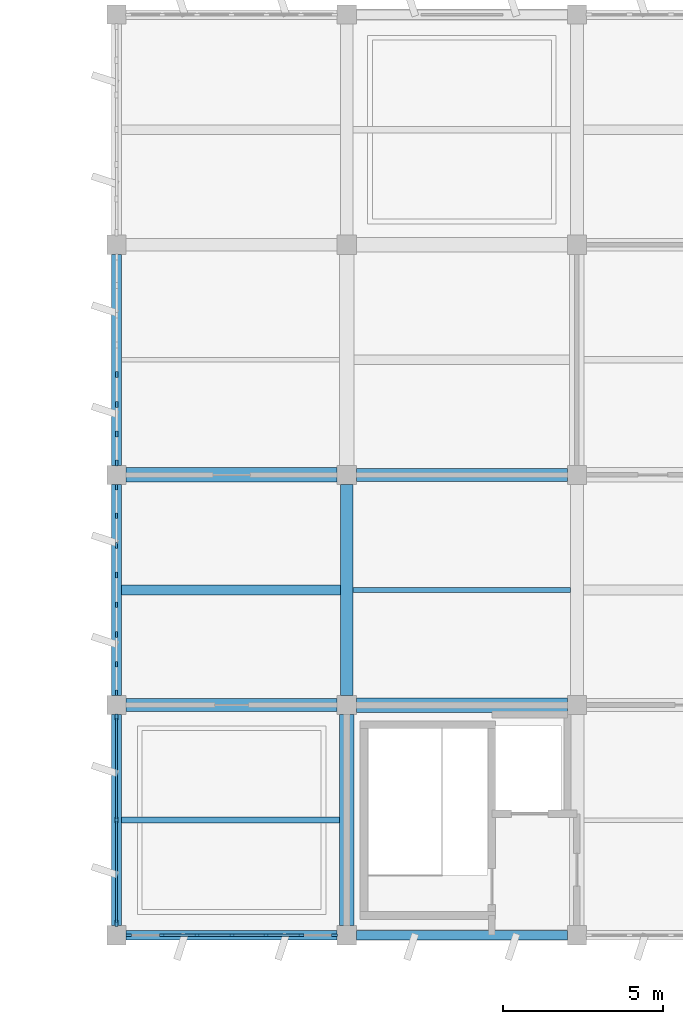
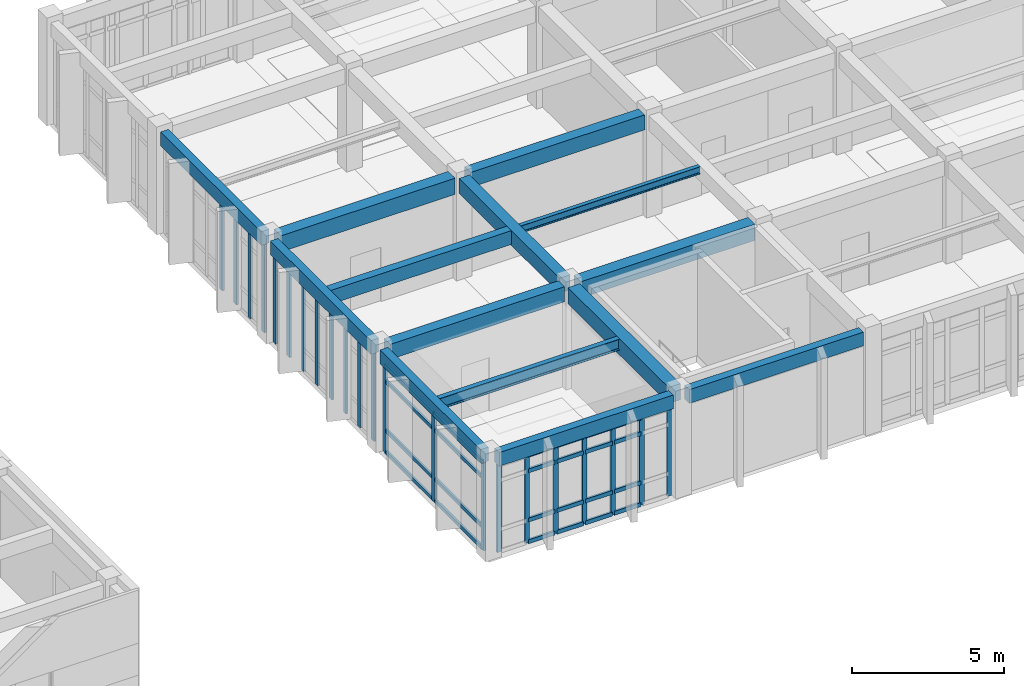
# One storey, part 8 of 70: 48 members, 12 beams, 4 elements without a shape of their own.
"""IFC4 building model written with IfcOpenShell, lengths in metres."""

from ifc_helpers import new_model, si_unit, direction, frame, origin, origin_2d, place, context, subcontext, project, spatial, rectangle, i_section, extrude, material, layer, layer_set, material_profile, profile_set, type_object, element, aggregate, save


model = new_model("IFC4")

# Units and contexts
model_context = context("Model", 3, precision=1e-05, world=origin(), true_north=direction((0.0, 1.0)))
body_context = subcontext(model_context, "Body", "Model", "MODEL_VIEW")
ifc_project = project(units=[si_unit("LENGTHUNIT", "METRE"), si_unit("AREAUNIT", "SQUARE_METRE"), si_unit("VOLUMEUNIT", "CUBIC_METRE"), si_unit("PLANEANGLEUNIT", "RADIAN"), si_unit("MASSUNIT", "GRAM", prefix="KILO")], contexts=[model_context])

# Site, building, storey
site_placement = place(None, origin())
site = spatial("IfcSite", under=ifc_project, at=site_placement, CompositionType="ELEMENT")
building_placement = place(site_placement, origin())
building = spatial("IfcBuilding", under=site, at=building_placement, Name="Kavelor Marine Aquarium", CompositionType="ELEMENT")
storey_placement = place(building_placement, frame((0.0, 0.0, 9.179931640625)))
storey = spatial("IfcBuildingStorey", under=building, at=storey_placement, Name="L02", CompositionType="ELEMENT", Elevation=9.179931640625)

# Beams
ifc_material_1 = material(Name="Concrete C40/50", Category="concrete")
ifc_material_profile_1 = material_profile(ifc_material_1, rectangle(XDim=0.449951171875, YDim=0.64990234375, at=origin_2d()), Name="RC-BM 450x650")
ifc_profile_set_1 = profile_set([ifc_material_profile_1], Name="Concrete C40/50")
beam_type_1 = type_object("IfcBeamType", Name="BM-B3", PredefinedType="BEAM", material=ifc_profile_set_1)
for number, where, z_axis, x_axis, name in (
    (1, (118.699951171875, 17.199951171875, 3.755126953125), (1.0, 0.0, 0.0), (0.0, 1.0, 0.0), "bm:x:L02:L03:16_02"),
    (2, (125.89990234375, 10.0, 3.755126953125), (1.0, 0.0, 0.0), (0.0, 1.0, 0.0), "bm:x:L02:L03:17_01"),
):
    element("IfcBeam", number, at=place(storey_placement, frame(where, z_axis=z_axis, x_axis=x_axis)), inside=storey, type_object=beam_type_1, Name=name, PredefinedType="BEAM", context=body_context, shape_type="SweptSolid", body=[
        extrude(rectangle(XDim=0.449951171875, YDim=0.64990234375, at=origin_2d()), origin(), (0.0, 0.0, 1.0), 6.60009765625),
    ])
beam_1_placement = place(storey_placement, frame((125.60009765625, 3.10009765625, 3.755126953125), z_axis=(0.0, 1.0, 0.0), x_axis=(-1.0, 0.0, 0.0)))
element("IfcBeam", 3, at=beam_1_placement, inside=storey, type_object=beam_type_1, Name="bm:y:L02:L03:17_00", PredefinedType="BEAM", context=body_context, shape_type="SweptSolid", body=[
    extrude(rectangle(XDim=0.449951171875, YDim=0.64990234375, at=origin_2d()), origin(), (0.0, 0.0, 1.0), 6.599853515625),
])
ifc_material_2 = material(Name="Concrete C40/50", Category="concrete")
ifc_material_profile_2 = material_profile(ifc_material_2, rectangle(XDim=0.39990234375, YDim=0.60009765625, at=origin_2d()), Name="RC-BM 400x600")
ifc_profile_set_2 = profile_set([ifc_material_profile_2], Name="Concrete C40/50")
beam_type_2 = type_object("IfcBeamType", Name="BM-B4", PredefinedType="BEAM", material=ifc_profile_set_2)
for number, where, z_axis, x_axis, name in (
    (4, (118.699951171875, 10.0, 3.780029296875), (1.0, 0.0, 0.0), (0.0, 1.0, 0.0), "bm:x:L02:L03:16_01"),
    (5, (125.89990234375, 17.199951171875, 3.780029296875), (1.0, 0.0, 0.0), (0.0, 1.0, 0.0), "bm:x:L02:L03:17_02"),
):
    element("IfcBeam", number, at=place(storey_placement, frame(where, z_axis=z_axis, x_axis=x_axis)), inside=storey, type_object=beam_type_2, Name=name, PredefinedType="BEAM", context=body_context, shape_type="SweptSolid", body=[
        extrude(rectangle(XDim=0.39990234375, YDim=0.60009765625, at=origin_2d()), origin(), (0.0, 0.0, 1.0), 6.60009765625),
    ])
beam_2_placement = place(storey_placement, frame((125.60009765625, 10.300048828125, 3.780029296875), z_axis=(0.0, 1.0, 0.0), x_axis=(-1.0, 0.0, 0.0)))
element("IfcBeam", 6, at=beam_2_placement, inside=storey, type_object=beam_type_2, Name="bm:y:L02:L03:17_01", PredefinedType="BEAM", context=body_context, shape_type="SweptSolid", body=[
    extrude(rectangle(XDim=0.39990234375, YDim=0.60009765625, at=origin_2d()), origin(), (0.0, 0.0, 1.0), 6.599853515625),
])
ifc_material_3 = material(Name="Concrete C40/50", Category="concrete")
ifc_material_profile_3 = material_profile(ifc_material_3, rectangle(XDim=0.300048828125, YDim=0.550048828125, at=origin_2d()), Name="RC-JS 300x550")
ifc_profile_set_3 = profile_set([ifc_material_profile_3], Name="Concrete C40/50")
beam_type_3 = type_object("IfcBeamType", Name="BM-JS2", PredefinedType="JOIST", material=ifc_profile_set_3)
beam_3_placement = place(storey_placement, frame((118.550048828125, 13.60009765625, 3.80517578125), z_axis=(1.0, 0.0, 0.0), x_axis=(0.0, 1.0, 0.0)))
element("IfcBeam", 7, at=beam_3_placement, inside=storey, type_object=beam_type_3, Name="js:L02:L03:16_01", PredefinedType="JOIST", context=body_context, shape_type="SweptSolid", body=[
    extrude(rectangle(XDim=0.300048828125, YDim=0.550048828125, at=origin_2d()), origin(), (0.0, 0.0, 1.0), 6.849853515625),
])
ifc_material_4 = material(Name="Concrete C40/50", Category="concrete")
ifc_material_profile_4 = material_profile(ifc_material_4, rectangle(XDim=0.300048828125, YDim=0.550048828125, at=origin_2d()), Name="RC-SP 300x550")
ifc_profile_set_4 = profile_set([ifc_material_profile_4], Name="Concrete C40/50")
beam_type_4 = type_object("IfcBeamType", Name="BM-SP2", PredefinedType="SPANDREL", material=ifc_profile_set_4)
for number, where, z_axis, x_axis, name in (
    (8, (118.699951171875, 2.800048828125, 3.80517578125), (1.0, 0.0, 0.0), (0.0, 1.0, 0.0), "bm:x:L02:L03:16_00"),
    (9, (125.89990234375, 2.800048828125, 3.80517578125), (1.0, 0.0, 0.0), (0.0, 1.0, 0.0), "bm:x:L02:L03:17_00"),
):
    element("IfcBeam", number, at=place(storey_placement, frame(where, z_axis=z_axis, x_axis=x_axis)), inside=storey, type_object=beam_type_4, Name=name, PredefinedType="SPANDREL", context=body_context, shape_type="SweptSolid", body=[
        extrude(rectangle(XDim=0.300048828125, YDim=0.550048828125, at=origin_2d()), origin(), (0.0, 0.0, 1.0), 6.60009765625),
    ])
for number, where, z_axis, x_axis, name in (
    (10, (118.39990234375, 3.10009765625, 3.80517578125), (0.0, 1.0, 0.0), (-1.0, 0.0, 0.0), "bm:y:L02:L03:16_00"),
    (11, (118.39990234375, 10.300048828125, 3.80517578125), (0.0, 1.0, 0.0), (-1.0, 0.0, 0.0), "bm:y:L02:L03:16_01"),
):
    element("IfcBeam", number, at=place(storey_placement, frame(where, z_axis=z_axis, x_axis=x_axis)), inside=storey, type_object=beam_type_4, Name=name, PredefinedType="SPANDREL", context=body_context, shape_type="SweptSolid", body=[
        extrude(rectangle(XDim=0.300048828125, YDim=0.550048828125, at=origin_2d()), origin(), (0.0, 0.0, 1.0), 6.599853515625),
    ])
beam_4_placement = place(storey_placement, frame((118.39990234375, 17.5, 3.80517578125), z_axis=(0.0, 1.0, 0.0), x_axis=(-1.0, 0.0, 0.0)))
element("IfcBeam", 12, at=beam_4_placement, inside=storey, type_object=beam_type_4, Name="bm:y:L02:L03:16_02", PredefinedType="SPANDREL", context=body_context, shape_type="SweptSolid", body=[
    extrude(rectangle(XDim=0.300048828125, YDim=0.550048828125, at=origin_2d()), origin(), (0.0, 0.0, 1.0), 6.60009765625),
])

# Curtain wall, members
ifc_material_5 = material(Name="Thermally Broken Aluminium and Low-E Glass", Category="aluminium")
ifc_layer_1 = layer(ifc_material_5, 0.172119140625)
ifc_layer_set_1 = layer_set([ifc_layer_1], Name="CW-SYS4")
curtain_wall_type_1 = type_object("IfcCurtainWallType", Name="CW-SYS4", PredefinedType="USERDEFINED", material=ifc_layer_set_1)
curtain_wall_1_placement = place(storey_placement, origin())
curtain_wall_1 = element("IfcCurtainWall", 13, at=curtain_wall_1_placement, inside=storey, type_object=curtain_wall_type_1, Name="cw:x:L02:16_00", ObjectType="Curtain Wall", PredefinedType="USERDEFINED")
ifc_material_6 = material(Name="Anodised Aluminium Alloy 6063-T6", Category="aluminium")
ifc_material_profile_5 = material_profile(ifc_material_6, rectangle(XDim=0.074951171875, YDim=0.179931640625, at=origin_2d()), Name="CW-MUL 75x180")
ifc_profile_set_5 = profile_set([ifc_material_profile_5], Name="Anodised Aluminium Alloy 6063-T6")
member_type_1 = type_object("IfcMemberType", Name="CWM-1", PredefinedType="MULLION", material=ifc_profile_set_5)
member_1_placement = place(storey_placement, frame((125.217529296875, 2.800048828125, 0.0), z_axis=(0.0, 0.0, 1.0), x_axis=(0.0, -1.0, 0.0)))
member_1 = element("IfcMember", 14, at=member_1_placement, type_object=member_type_1, Name="CW04 mullion 1", PredefinedType="MULLION", context=body_context, shape_type="SweptSolid", body=[
    extrude(rectangle(XDim=0.074951171875, YDim=0.179931640625, at=origin_2d()), origin(), (0.0, 0.0, 1.0), 3.52001953125),
])
member_2_placement = place(storey_placement, frame((124.169921875, 2.800048828125, 0.0), z_axis=(0.0, 0.0, 1.0), x_axis=(0.0, -1.0, 0.0)))
member_2 = element("IfcMember", 15, at=member_2_placement, type_object=member_type_1, Name="CW04 mullion 2", PredefinedType="MULLION", context=body_context, shape_type="SweptSolid", body=[
    extrude(rectangle(XDim=0.074951171875, YDim=0.179931640625, at=origin_2d()), origin(), (0.0, 0.0, 1.0), 3.52001953125),
])
member_3_placement = place(storey_placement, frame((123.0849609375, 2.800048828125, 0.0), z_axis=(0.0, 0.0, 1.0), x_axis=(0.0, -1.0, 0.0)))
member_3 = element("IfcMember", 16, at=member_3_placement, type_object=member_type_1, Name="CW04 mullion 3", PredefinedType="MULLION", context=body_context, shape_type="SweptSolid", body=[
    extrude(rectangle(XDim=0.074951171875, YDim=0.179931640625, at=origin_2d()), origin(), (0.0, 0.0, 1.0), 3.52001953125),
])
member_4_placement = place(storey_placement, frame((122.0, 2.800048828125, 0.0), z_axis=(0.0, 0.0, 1.0), x_axis=(0.0, -1.0, 0.0)))
member_4 = element("IfcMember", 17, at=member_4_placement, type_object=member_type_1, Name="CW04 mullion 4", PredefinedType="MULLION", context=body_context, shape_type="SweptSolid", body=[
    extrude(rectangle(XDim=0.074951171875, YDim=0.179931640625, at=origin_2d()), origin(), (0.0, 0.0, 1.0), 3.52001953125),
])
member_5_placement = place(storey_placement, frame((120.9150390625, 2.800048828125, 0.0), z_axis=(0.0, 0.0, 1.0), x_axis=(0.0, -1.0, 0.0)))
member_5 = element("IfcMember", 18, at=member_5_placement, type_object=member_type_1, Name="CW04 mullion 5", PredefinedType="MULLION", context=body_context, shape_type="SweptSolid", body=[
    extrude(rectangle(XDim=0.074951171875, YDim=0.179931640625, at=origin_2d()), origin(), (0.0, 0.0, 1.0), 3.52001953125),
])
member_6_placement = place(storey_placement, frame((119.830078125, 2.800048828125, 0.0), z_axis=(0.0, 0.0, 1.0), x_axis=(0.0, -1.0, 0.0)))
member_6 = element("IfcMember", 19, at=member_6_placement, type_object=member_type_1, Name="CW04 mullion 6", PredefinedType="MULLION", context=body_context, shape_type="SweptSolid", body=[
    extrude(rectangle(XDim=0.074951171875, YDim=0.179931640625, at=origin_2d()), origin(), (0.0, 0.0, 1.0), 3.52001953125),
])
member_7_placement = place(storey_placement, frame((118.782470703125, 2.800048828125, 0.0), z_axis=(0.0, 0.0, 1.0), x_axis=(0.0, -1.0, 0.0)))
member_7 = element("IfcMember", 20, at=member_7_placement, type_object=member_type_1, Name="CW04 mullion 7", PredefinedType="MULLION", context=body_context, shape_type="SweptSolid", body=[
    extrude(rectangle(XDim=0.074951171875, YDim=0.179931640625, at=origin_2d()), origin(), (0.0, 0.0, 1.0), 3.52001953125),
])

ifc_material_7 = material(Name="Thermally Broken Aluminium and Low-E Glass", Category="aluminium")
ifc_layer_2 = layer(ifc_material_7, 0.14794921875)
ifc_layer_set_2 = layer_set([ifc_layer_2], Name="CW-SYS1")
curtain_wall_type_2 = type_object("IfcCurtainWallType", Name="CW-SYS1", PredefinedType="USERDEFINED", material=ifc_layer_set_2)
curtain_wall_2_placement = place(storey_placement, origin())
curtain_wall_2 = element("IfcCurtainWall", 21, at=curtain_wall_2_placement, inside=storey, type_object=curtain_wall_type_2, Name="cw:y:L02:16_01", ObjectType="Curtain Wall", PredefinedType="USERDEFINED")
member_8_placement = place(storey_placement, frame((118.39990234375, 16.8173828125, 0.0), z_axis=(0.0, 0.0, 1.0), x_axis=(1.0, 0.0, 0.0)))
member_8 = element("IfcMember", 22, at=member_8_placement, type_object=member_type_1, Name="CW01 mullion 1", PredefinedType="MULLION", context=body_context, shape_type="SweptSolid", body=[
    extrude(rectangle(XDim=0.074951171875, YDim=0.179931640625, at=origin_2d()), origin(), (0.0, 0.0, 1.0), 3.52001953125),
])
member_9_placement = place(storey_placement, frame((118.39990234375, 15.925048828125, 0.0), z_axis=(0.0, 0.0, 1.0), x_axis=(1.0, 0.0, 0.0)))
member_9 = element("IfcMember", 23, at=member_9_placement, type_object=member_type_1, Name="CW01 mullion 2", PredefinedType="MULLION", context=body_context, shape_type="SweptSolid", body=[
    extrude(rectangle(XDim=0.074951171875, YDim=0.179931640625, at=origin_2d()), origin(), (0.0, 0.0, 1.0), 3.52001953125),
])
member_10_placement = place(storey_placement, frame((118.39990234375, 14.9951171875, 0.0), z_axis=(0.0, 0.0, 1.0), x_axis=(1.0, 0.0, 0.0)))
member_10 = element("IfcMember", 24, at=member_10_placement, type_object=member_type_1, Name="CW01 mullion 3", PredefinedType="MULLION", context=body_context, shape_type="SweptSolid", body=[
    extrude(rectangle(XDim=0.074951171875, YDim=0.179931640625, at=origin_2d()), origin(), (0.0, 0.0, 1.0), 3.52001953125),
])
member_11_placement = place(storey_placement, frame((118.39990234375, 14.06494140625, 0.0), z_axis=(0.0, 0.0, 1.0), x_axis=(1.0, 0.0, 0.0)))
member_11 = element("IfcMember", 25, at=member_11_placement, type_object=member_type_1, Name="CW01 mullion 4", PredefinedType="MULLION", context=body_context, shape_type="SweptSolid", body=[
    extrude(rectangle(XDim=0.074951171875, YDim=0.179931640625, at=origin_2d()), origin(), (0.0, 0.0, 1.0), 3.52001953125),
])
member_12_placement = place(storey_placement, frame((118.39990234375, 13.135009765625, 0.0), z_axis=(0.0, 0.0, 1.0), x_axis=(1.0, 0.0, 0.0)))
member_12 = element("IfcMember", 26, at=member_12_placement, type_object=member_type_1, Name="CW01 mullion 5", PredefinedType="MULLION", context=body_context, shape_type="SweptSolid", body=[
    extrude(rectangle(XDim=0.074951171875, YDim=0.179931640625, at=origin_2d()), origin(), (0.0, 0.0, 1.0), 3.52001953125),
])
member_13_placement = place(storey_placement, frame((118.39990234375, 12.205078125, 0.0), z_axis=(0.0, 0.0, 1.0), x_axis=(1.0, 0.0, 0.0)))
member_13 = element("IfcMember", 27, at=member_13_placement, type_object=member_type_1, Name="CW01 mullion 6", PredefinedType="MULLION", context=body_context, shape_type="SweptSolid", body=[
    extrude(rectangle(XDim=0.074951171875, YDim=0.179931640625, at=origin_2d()), origin(), (0.0, 0.0, 1.0), 3.52001953125),
])
member_14_placement = place(storey_placement, frame((118.39990234375, 11.27490234375, 0.0), z_axis=(0.0, 0.0, 1.0), x_axis=(1.0, 0.0, 0.0)))
member_14 = element("IfcMember", 28, at=member_14_placement, type_object=member_type_1, Name="CW01 mullion 7", PredefinedType="MULLION", context=body_context, shape_type="SweptSolid", body=[
    extrude(rectangle(XDim=0.074951171875, YDim=0.179931640625, at=origin_2d()), origin(), (0.0, 0.0, 1.0), 3.52001953125),
])
member_15_placement = place(storey_placement, frame((118.39990234375, 10.382568359375, 0.0), z_axis=(0.0, 0.0, 1.0), x_axis=(1.0, 0.0, 0.0)))
member_15 = element("IfcMember", 29, at=member_15_placement, type_object=member_type_1, Name="CW01 mullion 8", PredefinedType="MULLION", context=body_context, shape_type="SweptSolid", body=[
    extrude(rectangle(XDim=0.074951171875, YDim=0.179931640625, at=origin_2d()), origin(), (0.0, 0.0, 1.0), 3.52001953125),
])
aggregate(curtain_wall_2, [member_8, member_9, member_10, member_11, member_12, member_13, member_14, member_15])

ifc_material_8 = material(Name="Thermally Broken Aluminium and Low-E Glass", Category="aluminium")
ifc_layer_3 = layer(ifc_material_8, 0.156005859375)
ifc_layer_set_3 = layer_set([ifc_layer_3], Name="CW-SYS2")
curtain_wall_type_3 = type_object("IfcCurtainWallType", Name="CW-SYS2", PredefinedType="USERDEFINED", material=ifc_layer_set_3)
curtain_wall_3_placement = place(storey_placement, origin())
curtain_wall_3 = element("IfcCurtainWall", 30, at=curtain_wall_3_placement, inside=storey, type_object=curtain_wall_type_3, Name="cw:y:L02:16_02", ObjectType="Curtain Wall", PredefinedType="USERDEFINED")
ifc_material_9 = material(Name="Anodised Aluminium Alloy 6063-T6", Category="aluminium")
ifc_material_profile_6 = material_profile(ifc_material_9, rectangle(XDim=0.080078125, YDim=0.18505859375, at=origin_2d()), Name="CW-MUL 80x185")
ifc_profile_set_6 = profile_set([ifc_material_profile_6], Name="Anodised Aluminium Alloy 6063-T6")
member_type_2 = type_object("IfcMemberType", Name="CWM-2", PredefinedType="MULLION", material=ifc_profile_set_6)
member_16_placement = place(storey_placement, frame((118.39990234375, 20.3349609375, 0.0), z_axis=(0.0, 0.0, 1.0), x_axis=(1.0, 0.0, 0.0)))
member_16 = element("IfcMember", 31, at=member_16_placement, type_object=member_type_2, Name="CW02 mullion 5", PredefinedType="MULLION", context=body_context, shape_type="SweptSolid", body=[
    extrude(rectangle(XDim=0.080078125, YDim=0.18505859375, at=origin_2d()), origin(), (0.0, 0.0, 1.0), 3.52001953125),
])
member_17_placement = place(storey_placement, frame((118.39990234375, 19.405029296875, 0.0), z_axis=(0.0, 0.0, 1.0), x_axis=(1.0, 0.0, 0.0)))
member_17 = element("IfcMember", 32, at=member_17_placement, type_object=member_type_2, Name="CW02 mullion 6", PredefinedType="MULLION", context=body_context, shape_type="SweptSolid", body=[
    extrude(rectangle(XDim=0.080078125, YDim=0.18505859375, at=origin_2d()), origin(), (0.0, 0.0, 1.0), 3.52001953125),
])
member_18_placement = place(storey_placement, frame((118.39990234375, 18.47509765625, 0.0), z_axis=(0.0, 0.0, 1.0), x_axis=(1.0, 0.0, 0.0)))
member_18 = element("IfcMember", 33, at=member_18_placement, type_object=member_type_2, Name="CW02 mullion 7", PredefinedType="MULLION", context=body_context, shape_type="SweptSolid", body=[
    extrude(rectangle(XDim=0.080078125, YDim=0.18505859375, at=origin_2d()), origin(), (0.0, 0.0, 1.0), 3.52001953125),
])
member_19_placement = place(storey_placement, frame((118.39990234375, 17.577392578125, 0.0), z_axis=(0.0, 0.0, 1.0), x_axis=(1.0, 0.0, 0.0)))
member_19 = element("IfcMember", 34, at=member_19_placement, type_object=member_type_2, Name="CW02 mullion 8", PredefinedType="MULLION", context=body_context, shape_type="SweptSolid", body=[
    extrude(rectangle(XDim=0.080078125, YDim=0.18505859375, at=origin_2d()), origin(), (0.0, 0.0, 1.0), 3.52001953125),
])
aggregate(curtain_wall_3, [member_16, member_17, member_18, member_19])

ifc_material_10 = material(Name="Thermally Broken Aluminium and Low-E Glass", Category="aluminium")
ifc_layer_4 = layer(ifc_material_10, 0.33203125)
ifc_layer_set_4 = layer_set([ifc_layer_4], Name="CW-SYS24")
curtain_wall_type_4 = type_object("IfcCurtainWallType", Name="CW-SYS24", PredefinedType="USERDEFINED", material=ifc_layer_set_4)
curtain_wall_4_placement = place(storey_placement, origin())
curtain_wall_4 = element("IfcCurtainWall", 35, at=curtain_wall_4_placement, inside=storey, type_object=curtain_wall_type_4, Name="cw:y:L02:16_00", ObjectType="Curtain Wall", PredefinedType="USERDEFINED")
ifc_material_11 = material(Name="Anodised Aluminium Alloy 6063-T6", Category="aluminium")
ifc_material_profile_7 = material_profile(ifc_material_11, rectangle(XDim=0.0849609375, YDim=0.18994140625, at=origin_2d()), Name="CW-MUL 85x190")
ifc_profile_set_7 = profile_set([ifc_material_profile_7], Name="Anodised Aluminium Alloy 6063-T6")
member_type_3 = type_object("IfcMemberType", Name="CWM-3", PredefinedType="MULLION", material=ifc_profile_set_7)
member_20_placement = place(storey_placement, frame((118.39990234375, 9.625, 0.0), z_axis=(0.0, 0.0, 1.0), x_axis=(1.0, 0.0, 0.0)))
member_20 = element("IfcMember", 36, at=member_20_placement, type_object=member_type_3, Name="CW24 mullion 1", PredefinedType="MULLION", context=body_context, shape_type="SweptSolid", body=[
    extrude(rectangle(XDim=0.0849609375, YDim=0.18994140625, at=origin_2d()), origin(), (0.0, 0.0, 1.0), 3.52001953125),
])
member_21_placement = place(storey_placement, frame((118.39990234375, 6.39990234375, 0.0), z_axis=(0.0, 0.0, 1.0), x_axis=(1.0, 0.0, 0.0)))
member_21 = element("IfcMember", 37, at=member_21_placement, type_object=member_type_3, Name="CW24 mullion 2", PredefinedType="MULLION", context=body_context, shape_type="SweptSolid", body=[
    extrude(rectangle(XDim=0.0849609375, YDim=0.18994140625, at=origin_2d()), origin(), (0.0, 0.0, 1.0), 3.52001953125),
])
member_22_placement = place(storey_placement, frame((118.39990234375, 3.175048828125, 0.0), z_axis=(0.0, 0.0, 1.0), x_axis=(1.0, 0.0, 0.0)))
member_22 = element("IfcMember", 38, at=member_22_placement, type_object=member_type_3, Name="CW24 mullion 3", PredefinedType="MULLION", context=body_context, shape_type="SweptSolid", body=[
    extrude(rectangle(XDim=0.0849609375, YDim=0.18994140625, at=origin_2d()), origin(), (0.0, 0.0, 1.0), 3.52001953125),
])
ifc_material_12 = material(Name="Anodised Aluminium Alloy 6063-T6", Category="aluminium")
ifc_material_profile_8 = material_profile(ifc_material_12, rectangle(XDim=0.074951171875, YDim=0.14990234375, at=origin_2d()), Name="CW-TRN 75x150")
ifc_profile_set_8 = profile_set([ifc_material_profile_8], Name="Anodised Aluminium Alloy 6063-T6")
member_type_4 = type_object("IfcMemberType", Name="CWT-1", PredefinedType="USERDEFINED", material=ifc_profile_set_8)
member_23_placement = place(storey_placement, frame((118.39990234375, 9.594970703125, 0.03759765625), z_axis=(0.0, -1.0, 0.0), x_axis=(1.0, 0.0, 0.0)))
member_23 = element("IfcMember", 39, at=member_23_placement, type_object=member_type_4, Name="CW24 transom 1.1", ObjectType="TRANSOM", PredefinedType="USERDEFINED", context=body_context, shape_type="SweptSolid", body=[
    extrude(rectangle(XDim=0.074951171875, YDim=0.14990234375, at=origin_2d()), origin(), (0.0, 0.0, 1.0), 3.1650390625),
])
member_24_placement = place(storey_placement, frame((118.39990234375, 9.594970703125, 0.900146484375), z_axis=(0.0, -1.0, 0.0), x_axis=(1.0, 0.0, 0.0)))
member_24 = element("IfcMember", 40, at=member_24_placement, type_object=member_type_4, Name="CW24 transom 1.2", ObjectType="TRANSOM", PredefinedType="USERDEFINED", context=body_context, shape_type="SweptSolid", body=[
    extrude(rectangle(XDim=0.074951171875, YDim=0.14990234375, at=origin_2d()), origin(), (0.0, 0.0, 1.0), 3.1650390625),
])
member_25_placement = place(storey_placement, frame((118.39990234375, 9.594970703125, 2.8701171875), z_axis=(0.0, -1.0, 0.0), x_axis=(1.0, 0.0, 0.0)))
member_25 = element("IfcMember", 41, at=member_25_placement, type_object=member_type_4, Name="CW24 transom 1.3", ObjectType="TRANSOM", PredefinedType="USERDEFINED", context=body_context, shape_type="SweptSolid", body=[
    extrude(rectangle(XDim=0.074951171875, YDim=0.14990234375, at=origin_2d()), origin(), (0.0, 0.0, 1.0), 3.1650390625),
])
member_26_placement = place(storey_placement, frame((118.39990234375, 9.594970703125, 3.482666015625), z_axis=(0.0, -1.0, 0.0), x_axis=(1.0, 0.0, 0.0)))
member_26 = element("IfcMember", 42, at=member_26_placement, type_object=member_type_4, Name="CW24 transom 1.4", ObjectType="TRANSOM", PredefinedType="USERDEFINED", context=body_context, shape_type="SweptSolid", body=[
    extrude(rectangle(XDim=0.074951171875, YDim=0.14990234375, at=origin_2d()), origin(), (0.0, 0.0, 1.0), 3.1650390625),
])
member_27_placement = place(storey_placement, frame((118.39990234375, 6.3701171875, 0.03759765625), z_axis=(0.0, -1.0, 0.0), x_axis=(1.0, 0.0, 0.0)))
member_27 = element("IfcMember", 43, at=member_27_placement, type_object=member_type_4, Name="CW24 transom 2.1", ObjectType="TRANSOM", PredefinedType="USERDEFINED", context=body_context, shape_type="SweptSolid", body=[
    extrude(rectangle(XDim=0.074951171875, YDim=0.14990234375, at=origin_2d()), origin(), (0.0, 0.0, 1.0), 3.1650390625),
])
member_28_placement = place(storey_placement, frame((118.39990234375, 6.3701171875, 0.900146484375), z_axis=(0.0, -1.0, 0.0), x_axis=(1.0, 0.0, 0.0)))
member_28 = element("IfcMember", 44, at=member_28_placement, type_object=member_type_4, Name="CW24 transom 2.2", ObjectType="TRANSOM", PredefinedType="USERDEFINED", context=body_context, shape_type="SweptSolid", body=[
    extrude(rectangle(XDim=0.074951171875, YDim=0.14990234375, at=origin_2d()), origin(), (0.0, 0.0, 1.0), 3.1650390625),
])
member_29_placement = place(storey_placement, frame((118.39990234375, 6.3701171875, 2.8701171875), z_axis=(0.0, -1.0, 0.0), x_axis=(1.0, 0.0, 0.0)))
member_29 = element("IfcMember", 45, at=member_29_placement, type_object=member_type_4, Name="CW24 transom 2.3", ObjectType="TRANSOM", PredefinedType="USERDEFINED", context=body_context, shape_type="SweptSolid", body=[
    extrude(rectangle(XDim=0.074951171875, YDim=0.14990234375, at=origin_2d()), origin(), (0.0, 0.0, 1.0), 3.1650390625),
])
member_30_placement = place(storey_placement, frame((118.39990234375, 6.3701171875, 3.482666015625), z_axis=(0.0, -1.0, 0.0), x_axis=(1.0, 0.0, 0.0)))
member_30 = element("IfcMember", 46, at=member_30_placement, type_object=member_type_4, Name="CW24 transom 2.4", ObjectType="TRANSOM", PredefinedType="USERDEFINED", context=body_context, shape_type="SweptSolid", body=[
    extrude(rectangle(XDim=0.074951171875, YDim=0.14990234375, at=origin_2d()), origin(), (0.0, 0.0, 1.0), 3.1650390625),
])
aggregate(curtain_wall_4, [member_20, member_21, member_22, member_23, member_24, member_25, member_26, member_27, member_28, member_29, member_30])

# Member
ifc_material_13 = material(Name="Anodised Aluminium Alloy 6063-T6", Category="aluminium")
ifc_material_profile_9 = material_profile(ifc_material_13, rectangle(XDim=0.0849609375, YDim=0.159912109375, at=origin_2d()), Name="CW-TRN 85x160")
ifc_profile_set_9 = profile_set([ifc_material_profile_9], Name="Anodised Aluminium Alloy 6063-T6")
member_type_5 = type_object("IfcMemberType", Name="CWT-3", PredefinedType="USERDEFINED", material=ifc_profile_set_9)
member_31_placement = place(storey_placement, frame((124.132568359375, 2.800048828125, 0.030029296875), z_axis=(-1.0, 0.0, 0.0), x_axis=(0.0, -1.0, 0.0)))
member_31 = element("IfcMember", 47, at=member_31_placement, type_object=member_type_5, Name="CW04 transom 2.1", ObjectType="TRANSOM", PredefinedType="USERDEFINED", context=body_context, shape_type="SweptSolid", body=[
    extrude(rectangle(XDim=0.0849609375, YDim=0.159912109375, at=origin_2d()), origin(), (0.0, 0.0, 1.0), 1.010009765625),
])

member_32_placement = place(storey_placement, frame((124.132568359375, 2.800048828125, 0.900146484375), z_axis=(-1.0, 0.0, 0.0), x_axis=(0.0, -1.0, 0.0)))
member_32 = element("IfcMember", 48, at=member_32_placement, type_object=member_type_5, Name="CW04 transom 2.2", ObjectType="TRANSOM", PredefinedType="USERDEFINED", context=body_context, shape_type="SweptSolid", body=[
    extrude(rectangle(XDim=0.0849609375, YDim=0.159912109375, at=origin_2d()), origin(), (0.0, 0.0, 1.0), 1.010009765625),
])

member_33_placement = place(storey_placement, frame((124.132568359375, 2.800048828125, 2.8701171875), z_axis=(-1.0, 0.0, 0.0), x_axis=(0.0, -1.0, 0.0)))
member_33 = element("IfcMember", 49, at=member_33_placement, type_object=member_type_5, Name="CW04 transom 2.3", ObjectType="TRANSOM", PredefinedType="USERDEFINED", context=body_context, shape_type="SweptSolid", body=[
    extrude(rectangle(XDim=0.0849609375, YDim=0.159912109375, at=origin_2d()), origin(), (0.0, 0.0, 1.0), 1.010009765625),
])

member_34_placement = place(storey_placement, frame((124.132568359375, 2.800048828125, 3.489990234375), z_axis=(-1.0, 0.0, 0.0), x_axis=(0.0, -1.0, 0.0)))
member_34 = element("IfcMember", 50, at=member_34_placement, type_object=member_type_5, Name="CW04 transom 2.4", ObjectType="TRANSOM", PredefinedType="USERDEFINED", context=body_context, shape_type="SweptSolid", body=[
    extrude(rectangle(XDim=0.0849609375, YDim=0.159912109375, at=origin_2d()), origin(), (0.0, 0.0, 1.0), 1.010009765625),
])

member_35_placement = place(storey_placement, frame((123.047607421875, 2.800048828125, 0.030029296875), z_axis=(-1.0, 0.0, 0.0), x_axis=(0.0, -1.0, 0.0)))
member_35 = element("IfcMember", 51, at=member_35_placement, type_object=member_type_5, Name="CW04 transom 3.1", ObjectType="TRANSOM", PredefinedType="USERDEFINED", context=body_context, shape_type="SweptSolid", body=[
    extrude(rectangle(XDim=0.0849609375, YDim=0.159912109375, at=origin_2d()), origin(), (0.0, 0.0, 1.0), 1.010009765625),
])

member_36_placement = place(storey_placement, frame((123.047607421875, 2.800048828125, 0.900146484375), z_axis=(-1.0, 0.0, 0.0), x_axis=(0.0, -1.0, 0.0)))
member_36 = element("IfcMember", 52, at=member_36_placement, type_object=member_type_5, Name="CW04 transom 3.2", ObjectType="TRANSOM", PredefinedType="USERDEFINED", context=body_context, shape_type="SweptSolid", body=[
    extrude(rectangle(XDim=0.0849609375, YDim=0.159912109375, at=origin_2d()), origin(), (0.0, 0.0, 1.0), 1.010009765625),
])

member_37_placement = place(storey_placement, frame((123.047607421875, 2.800048828125, 2.8701171875), z_axis=(-1.0, 0.0, 0.0), x_axis=(0.0, -1.0, 0.0)))
member_37 = element("IfcMember", 53, at=member_37_placement, type_object=member_type_5, Name="CW04 transom 3.3", ObjectType="TRANSOM", PredefinedType="USERDEFINED", context=body_context, shape_type="SweptSolid", body=[
    extrude(rectangle(XDim=0.0849609375, YDim=0.159912109375, at=origin_2d()), origin(), (0.0, 0.0, 1.0), 1.010009765625),
])

member_38_placement = place(storey_placement, frame((123.047607421875, 2.800048828125, 3.489990234375), z_axis=(-1.0, 0.0, 0.0), x_axis=(0.0, -1.0, 0.0)))
member_38 = element("IfcMember", 54, at=member_38_placement, type_object=member_type_5, Name="CW04 transom 3.4", ObjectType="TRANSOM", PredefinedType="USERDEFINED", context=body_context, shape_type="SweptSolid", body=[
    extrude(rectangle(XDim=0.0849609375, YDim=0.159912109375, at=origin_2d()), origin(), (0.0, 0.0, 1.0), 1.010009765625),
])

member_39_placement = place(storey_placement, frame((121.96240234375, 2.800048828125, 0.030029296875), z_axis=(-1.0, 0.0, 0.0), x_axis=(0.0, -1.0, 0.0)))
member_39 = element("IfcMember", 55, at=member_39_placement, type_object=member_type_5, Name="CW04 transom 4.1", ObjectType="TRANSOM", PredefinedType="USERDEFINED", context=body_context, shape_type="SweptSolid", body=[
    extrude(rectangle(XDim=0.0849609375, YDim=0.159912109375, at=origin_2d()), origin(), (0.0, 0.0, 1.0), 1.010009765625),
])

member_40_placement = place(storey_placement, frame((121.96240234375, 2.800048828125, 0.900146484375), z_axis=(-1.0, 0.0, 0.0), x_axis=(0.0, -1.0, 0.0)))
member_40 = element("IfcMember", 56, at=member_40_placement, type_object=member_type_5, Name="CW04 transom 4.2", ObjectType="TRANSOM", PredefinedType="USERDEFINED", context=body_context, shape_type="SweptSolid", body=[
    extrude(rectangle(XDim=0.0849609375, YDim=0.159912109375, at=origin_2d()), origin(), (0.0, 0.0, 1.0), 1.010009765625),
])

member_41_placement = place(storey_placement, frame((121.96240234375, 2.800048828125, 2.8701171875), z_axis=(-1.0, 0.0, 0.0), x_axis=(0.0, -1.0, 0.0)))
member_41 = element("IfcMember", 57, at=member_41_placement, type_object=member_type_5, Name="CW04 transom 4.3", ObjectType="TRANSOM", PredefinedType="USERDEFINED", context=body_context, shape_type="SweptSolid", body=[
    extrude(rectangle(XDim=0.0849609375, YDim=0.159912109375, at=origin_2d()), origin(), (0.0, 0.0, 1.0), 1.010009765625),
])

member_42_placement = place(storey_placement, frame((121.96240234375, 2.800048828125, 3.489990234375), z_axis=(-1.0, 0.0, 0.0), x_axis=(0.0, -1.0, 0.0)))
member_42 = element("IfcMember", 58, at=member_42_placement, type_object=member_type_5, Name="CW04 transom 4.4", ObjectType="TRANSOM", PredefinedType="USERDEFINED", context=body_context, shape_type="SweptSolid", body=[
    extrude(rectangle(XDim=0.0849609375, YDim=0.159912109375, at=origin_2d()), origin(), (0.0, 0.0, 1.0), 1.010009765625),
])

member_43_placement = place(storey_placement, frame((120.87744140625, 2.800048828125, 0.030029296875), z_axis=(-1.0, 0.0, 0.0), x_axis=(0.0, -1.0, 0.0)))
member_43 = element("IfcMember", 59, at=member_43_placement, type_object=member_type_5, Name="CW04 transom 5.1", ObjectType="TRANSOM", PredefinedType="USERDEFINED", context=body_context, shape_type="SweptSolid", body=[
    extrude(rectangle(XDim=0.0849609375, YDim=0.159912109375, at=origin_2d()), origin(), (0.0, 0.0, 1.0), 1.010009765625),
])

member_44_placement = place(storey_placement, frame((120.87744140625, 2.800048828125, 0.900146484375), z_axis=(-1.0, 0.0, 0.0), x_axis=(0.0, -1.0, 0.0)))
member_44 = element("IfcMember", 60, at=member_44_placement, type_object=member_type_5, Name="CW04 transom 5.2", ObjectType="TRANSOM", PredefinedType="USERDEFINED", context=body_context, shape_type="SweptSolid", body=[
    extrude(rectangle(XDim=0.0849609375, YDim=0.159912109375, at=origin_2d()), origin(), (0.0, 0.0, 1.0), 1.010009765625),
])

member_45_placement = place(storey_placement, frame((120.87744140625, 2.800048828125, 2.8701171875), z_axis=(-1.0, 0.0, 0.0), x_axis=(0.0, -1.0, 0.0)))
member_45 = element("IfcMember", 61, at=member_45_placement, type_object=member_type_5, Name="CW04 transom 5.3", ObjectType="TRANSOM", PredefinedType="USERDEFINED", context=body_context, shape_type="SweptSolid", body=[
    extrude(rectangle(XDim=0.0849609375, YDim=0.159912109375, at=origin_2d()), origin(), (0.0, 0.0, 1.0), 1.010009765625),
])

member_46_placement = place(storey_placement, frame((120.87744140625, 2.800048828125, 3.489990234375), z_axis=(-1.0, 0.0, 0.0), x_axis=(0.0, -1.0, 0.0)))
member_46 = element("IfcMember", 62, at=member_46_placement, type_object=member_type_5, Name="CW04 transom 5.4", ObjectType="TRANSOM", PredefinedType="USERDEFINED", context=body_context, shape_type="SweptSolid", body=[
    extrude(rectangle(XDim=0.0849609375, YDim=0.159912109375, at=origin_2d()), origin(), (0.0, 0.0, 1.0), 1.010009765625),
])

aggregate(curtain_wall_1, [member_1, member_2, member_3, member_4, member_5, member_6, member_7, member_31, member_32, member_33, member_34, member_35, member_36, member_37, member_38, member_39, member_40, member_41, member_42, member_43, member_44, member_45, member_46])

# Members
ifc_material_14 = material(Name="Steel S355", Category="steel")
ifc_material_profile_10 = material_profile(ifc_material_14, i_section(OverallWidth=0.18994140625, OverallDepth=0.449951171875, WebThickness=0.009521484375, FlangeThickness=0.0146484375, FilletRadius=0.02099609375, at=origin_2d()), Name="IPE 450")
ifc_profile_set_10 = profile_set([ifc_material_profile_10], Name="Steel S355")
member_type_6 = type_object("IfcMemberType", Name="PR-SJ2", PredefinedType="PURLIN", material=ifc_profile_set_10)
member_47_placement = place(storey_placement, frame((118.550048828125, 6.39990234375, 3.85498046875), z_axis=(1.0, 0.0, 0.0), x_axis=(0.0, 1.0, 0.0)))
element("IfcMember", 63, at=member_47_placement, inside=storey, type_object=member_type_6, Name="js:L02:L03:16_00", PredefinedType="PURLIN", context=body_context, shape_type="SweptSolid", body=[
    extrude(i_section(OverallWidth=0.18994140625, OverallDepth=0.449951171875, WebThickness=0.009521484375, FlangeThickness=0.0146484375, FilletRadius=0.02099609375, at=origin_2d()), origin(), (0.0, 0.0, 1.0), 6.824951171875),
])
ifc_material_15 = material(Name="Steel S355", Category="steel")
ifc_material_profile_11 = material_profile(ifc_material_15, i_section(OverallWidth=0.14990234375, OverallDepth=0.300048828125, WebThickness=0.007080078125, FlangeThickness=0.0107421875, FilletRadius=0.014892578125, at=origin_2d()), Name="IPE 300")
ifc_profile_set_11 = profile_set([ifc_material_profile_11], Name="Steel S355")
member_type_7 = type_object("IfcMemberType", Name="PR-SJ4", PredefinedType="PURLIN", material=ifc_profile_set_11)
member_48_placement = place(storey_placement, frame((125.800048828125, 13.60009765625, 3.93017578125), z_axis=(1.0, 0.0, 0.0), x_axis=(0.0, 1.0, 0.0)))
element("IfcMember", 64, at=member_48_placement, inside=storey, type_object=member_type_7, Name="js:L02:L03:17_01", PredefinedType="PURLIN", context=body_context, shape_type="SweptSolid", body=[
    extrude(i_section(OverallWidth=0.14990234375, OverallDepth=0.300048828125, WebThickness=0.007080078125, FlangeThickness=0.0107421875, FilletRadius=0.014892578125, at=origin_2d()), origin(), (0.0, 0.0, 1.0), 6.800048828125),
])

save(model, "model.ifc")
